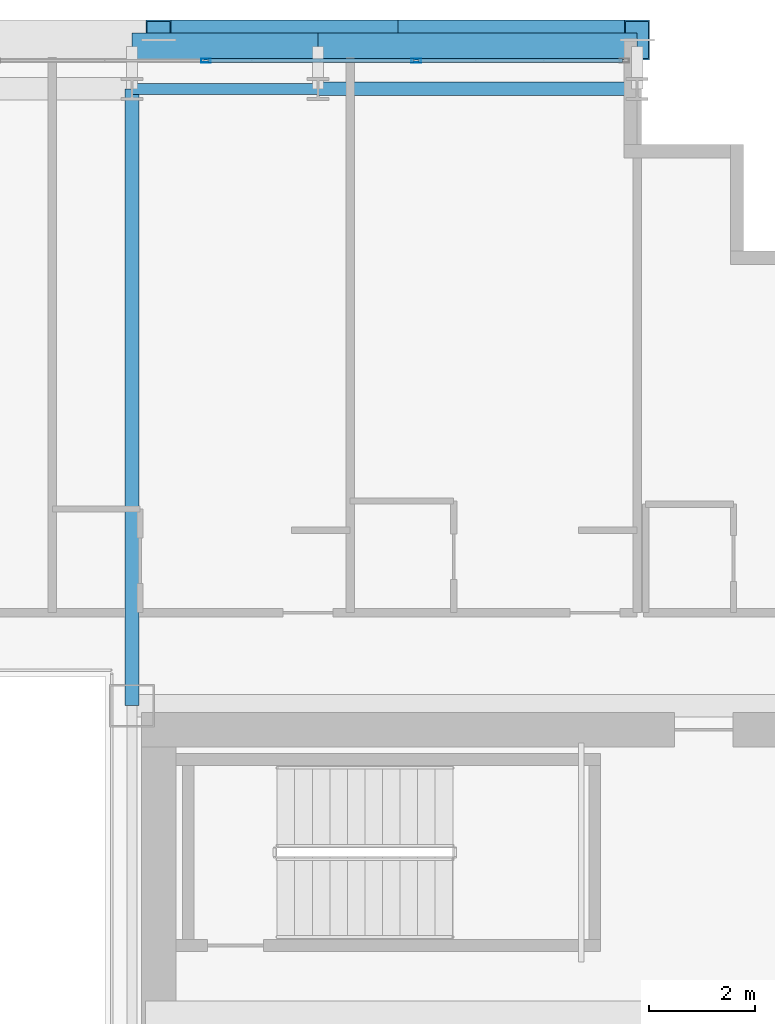
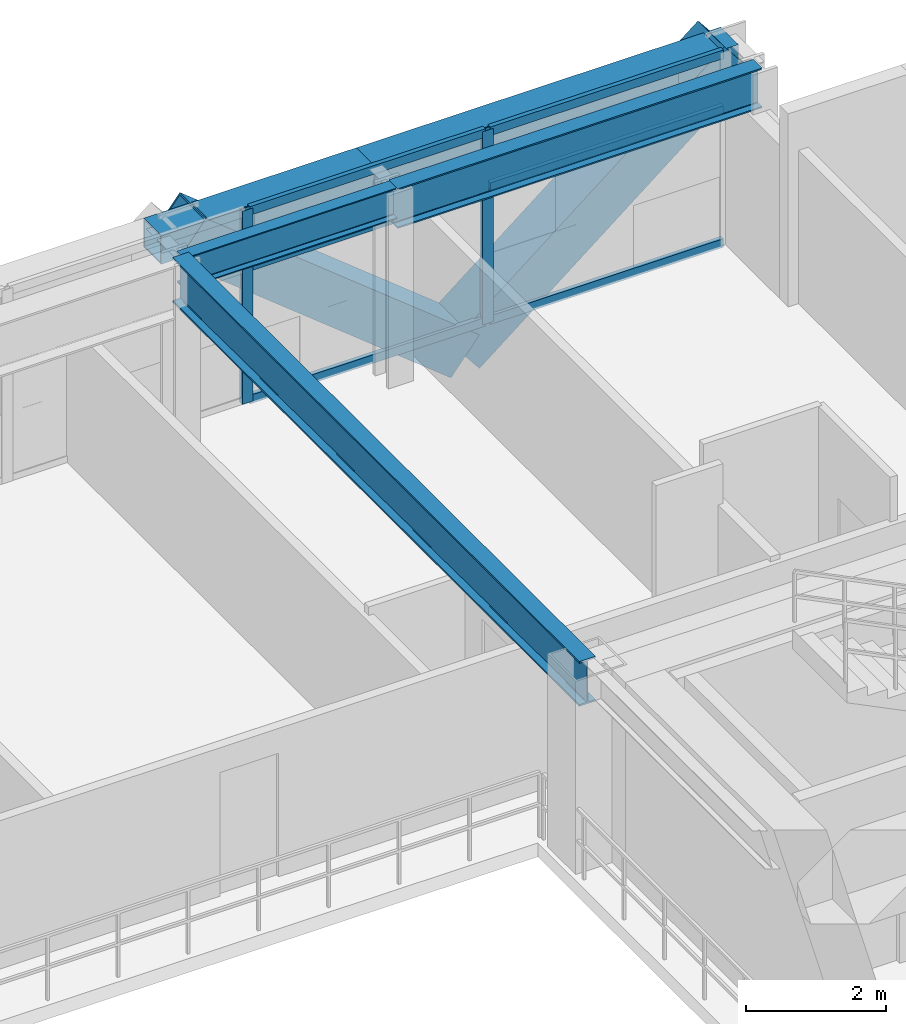
# One storey, part 21 of 35: 10 members, 5 beams, 1 element without a shape of its own.
"""IFC4 building model written with IfcOpenShell, lengths in metres."""

import ifcopenshell
import ifcopenshell.guid

model = None  # the IFC model being written
_history = None  # IfcOwnerHistory: only IFC2X3 demands one
_inside = {}  # id of a spatial element -> (the spatial element, [elements in it])
_under = {}  # id of a project, library or spatial element -> (it, [spatial elements below it])
_declared = {}  # id of a project -> (the project, [libraries it declares])
_typed = {}  # id of a type object -> (the type object, [elements of that type])
_made_of = {}  # id of a material, layer set ... -> (it, [elements and type objects made of it])


def new_model(schema):
    """Start an empty IFC model of exactly this schema.

    Asked for "IFC4X3", IfcOpenShell would pick the latest addendum, in which some entities
    have other attributes; the version numbers below select the first issue.
    IFC2X3 requires an IfcOwnerHistory on every rooted entity: one is made here for all.
    """
    global model, _history
    if schema == "IFC4X3":
        model = ifcopenshell.file(schema_version=(4, 3, 0, 0))
    else:
        model = ifcopenshell.file(schema=schema)
    _inside.clear()
    _under.clear()
    _declared.clear()
    _typed.clear()
    _made_of.clear()
    _history = None
    if model.schema == "IFC2X3":
        org = make("IfcOrganization", Name="unknown")
        user = make(
            "IfcPersonAndOrganization",
            ThePerson=make("IfcPerson", FamilyName="unknown"),
            TheOrganization=org,
        )
        app = make(
            "IfcApplication",
            ApplicationDeveloper=org,
            Version="unknown",
            ApplicationFullName="unknown",
            ApplicationIdentifier="unknown",
        )
        _history = make(
            "IfcOwnerHistory",
            OwningUser=user,
            OwningApplication=app,
            ChangeAction="ADDED",
            CreationDate=0,
        )
    return model


def make(cls, **values):
    """One entity of the class cls with the attributes given. An attribute that is None is left unset."""
    return model.create_entity(
        cls, **{name: value for name, value in values.items() if value is not None}
    )


def rooted(cls, **values):
    """An entity with a GlobalId (a new one), such as an element, a storey or a relation."""
    return make(cls, GlobalId=ifcopenshell.guid.new(), OwnerHistory=_history, **values)


def si_unit(unit_type, name, prefix=None):
    """IfcSIUnit, for example si_unit("LENGTHUNIT", "METRE", prefix="MILLI")."""
    return make("IfcSIUnit", UnitType=unit_type, Prefix=prefix, Name=name)


def assignment(units):
    """IfcUnitAssignment: the units of a project."""
    return None if units is None else make("IfcUnitAssignment", Units=units)


def point(xyz):
    """IfcCartesianPoint."""
    return None if xyz is None else make("IfcCartesianPoint", Coordinates=xyz)


def direction(xyz):
    """IfcDirection."""
    return None if xyz is None else make("IfcDirection", DirectionRatios=xyz)


def frame(location, z_axis=None, x_axis=None):
    """IfcAxis2Placement3D, a coordinate frame: its origin and axes. An axis left out is left unset."""
    return make(
        "IfcAxis2Placement3D",
        Location=point(location),
        Axis=direction(z_axis),
        RefDirection=direction(x_axis),
    )


def frame_2d(location, x_axis=None):
    """IfcAxis2Placement2D, a coordinate frame in the plane: its origin and x axis."""
    return make(
        "IfcAxis2Placement2D", Location=point(location), RefDirection=direction(x_axis)
    )


def origin():
    """The frame at (0, 0, 0) with its axes left unset."""
    return frame((0.0, 0.0, 0.0))


def origin_2d():
    """The frame at (0, 0) in the plane with its x axis left unset."""
    return frame_2d((0.0, 0.0))


def place(relative_to, where):
    """IfcLocalPlacement: puts the frame where relative to a parent placement (None: the world)."""
    return make(
        "IfcLocalPlacement", PlacementRelTo=relative_to, RelativePlacement=where
    )


def context(
    kind, dimensions, precision=None, world=None, true_north=None, identifier=None
):
    """IfcGeometricRepresentationContext, for example the 3D "Model" context."""
    return make(
        "IfcGeometricRepresentationContext",
        ContextIdentifier=identifier,
        ContextType=kind,
        CoordinateSpaceDimension=dimensions,
        Precision=precision,
        WorldCoordinateSystem=world,
        TrueNorth=true_north,
    )


def subcontext(parent, identifier, kind, view, scale=None):
    """IfcGeometricRepresentationSubContext, for example "Body" below "Model"."""
    return make(
        "IfcGeometricRepresentationSubContext",
        ContextIdentifier=identifier,
        ContextType=kind,
        ParentContext=parent,
        TargetScale=scale,
        TargetView=view,
    )


def project(units=None, contexts=None):
    """IfcProject with its units and contexts."""
    return rooted(
        "IfcProject",
        Name="project",
        RepresentationContexts=contexts,
        UnitsInContext=assignment(units),
    )


def spatial(cls, under=None, at=None, **own):
    """A site, building, storey or space (cls), placed at a placement, below another one or the project."""
    s = rooted(cls, ObjectPlacement=at, **own)
    if under is not None:
        _under.setdefault(under.id(), (under, []))[1].append(s)
    return s


def profile(cls, at=None, kind="AREA", **sizes):
    """A parametric profile (cls). Its sizes go by their IFC names, for example OverallWidth=200.0."""
    return make(cls, ProfileType=kind, Position=at, **sizes)


def hollow_rectangle(**sizes):
    """IfcRectangleHollowProfileDef."""
    return profile("IfcRectangleHollowProfileDef", **sizes)


def i_section(**sizes):
    """IfcIShapeProfileDef."""
    return profile("IfcIShapeProfileDef", **sizes)


def extrude(swept, where, along, depth):
    """IfcExtrudedAreaSolid: the profile swept, set in the frame where, extruded along a direction by depth."""
    return make(
        "IfcExtrudedAreaSolid",
        SweptArea=swept,
        Position=where,
        ExtrudedDirection=direction(along),
        Depth=depth,
    )


def shape(context_of_items, identifier, shape_type, items):
    """IfcShapeRepresentation: the items that make up one representation, for example the "Body"."""
    return make(
        "IfcShapeRepresentation",
        ContextOfItems=context_of_items,
        RepresentationIdentifier=identifier,
        RepresentationType=shape_type,
        Items=items,
    )


def source(mapping_origin, context_of_items, identifier, shape_type, items):
    """IfcRepresentationMap: a shape defined once, which mapped items show again and again."""
    return make(
        "IfcRepresentationMap",
        MappingOrigin=mapping_origin,
        MappedRepresentation=shape(context_of_items, identifier, shape_type, items),
    )


def transform(
    local_origin,
    x_axis=None,
    y_axis=None,
    z_axis=None,
    scale=None,
    scale2=None,
    scale3=None,
    uniform=True,
):
    """IfcCartesianTransformationOperator3D, or its non-uniform kind. x_axis, y_axis, z_axis: its Axis1, 2, 3."""
    if uniform:
        return make(
            "IfcCartesianTransformationOperator3D",
            Axis1=direction(x_axis),
            Axis2=direction(y_axis),
            LocalOrigin=point(local_origin),
            Scale=scale,
            Axis3=direction(z_axis),
        )
    return make(
        "IfcCartesianTransformationOperator3DnonUniform",
        Axis1=direction(x_axis),
        Axis2=direction(y_axis),
        LocalOrigin=point(local_origin),
        Scale=scale,
        Axis3=direction(z_axis),
        Scale2=scale2,
        Scale3=scale3,
    )


def mapped(mapping_source, mapping_target):
    """IfcMappedItem: shows the shape of a source again, moved by a transform."""
    return make(
        "IfcMappedItem", MappingSource=mapping_source, MappingTarget=mapping_target
    )


def material(Name=None, Category=None):
    """IfcMaterial."""
    return make("IfcMaterial", Name=Name, Category=Category)


def layer(
    of_material, thickness, ventilated=None, Name=None, Category=None, Priority=None
):
    """IfcMaterialLayer: one layer of a wall or slab, of a material (None: an air gap)."""
    return make(
        "IfcMaterialLayer",
        Material=of_material,
        LayerThickness=thickness,
        IsVentilated=ventilated,
        Name=Name,
        Category=Category,
        Priority=Priority,
    )


def layer_set(layers, Name=None):
    """IfcMaterialLayerSet."""
    return make("IfcMaterialLayerSet", MaterialLayers=layers, LayerSetName=Name)


def material_profile(
    of_material, cross_section, Name=None, Category=None, Priority=None
):
    """IfcMaterialProfile: a cross section and its material."""
    return make(
        "IfcMaterialProfile",
        Name=Name,
        Material=of_material,
        Profile=cross_section,
        Priority=Priority,
        Category=Category,
    )


def profile_set(profiles, Name=None, composite=None):
    """IfcMaterialProfileSet."""
    return make(
        "IfcMaterialProfileSet",
        Name=Name,
        MaterialProfiles=profiles,
        CompositeProfile=composite,
    )


def made_of(thing, what):
    """Note that an element or type object is made of a material, layer set ...; save() writes the relation."""
    if what is not None:
        _made_of.setdefault(what.id(), (what, []))[1].append(thing)
    return thing


def type_object(cls, material=None, **own):
    """A type object (cls), such as IfcWallType, which elements share."""
    return made_of(rooted(cls, **own), material)


def element(
    cls,
    number,
    at=None,
    inside=None,
    cuts=None,
    type_object=None,
    material=None,
    context=None,
    identifier="Body",
    shape_type=None,
    held_by="IfcProductDefinitionShape",
    body=None,
    shapes=None,
    **own,
):
    """One element of the class cls, such as IfcWall. Its Tag is "e" and its number.

    at: its placement. inside: the storey or other place that contains it. cuts: it is an
    opening in that element (IfcRelVoidsElement). A single representation is given by context,
    identifier, shape_type and body (its items); several are given by shapes. held_by: the class
    of the entity that holds the representations. save() writes the other relations.
    """
    e = rooted(cls, Tag="e%d" % number, ObjectPlacement=at, **own)
    if body is not None:
        shapes = [shape(context, identifier, shape_type, body)]
    if shapes is not None:
        e.Representation = make(held_by, Representations=shapes)
    if inside is not None:
        _inside.setdefault(inside.id(), (inside, []))[1].append(e)
    if cuts is not None:
        rooted(
            "IfcRelVoidsElement", RelatingBuildingElement=cuts, RelatedOpeningElement=e
        )
    if type_object is not None:
        _typed.setdefault(type_object.id(), (type_object, []))[1].append(e)
    return made_of(e, material)


def aggregate(whole, parts):
    """IfcRelAggregates: a whole, such as a stair, and the parts it consists of."""
    return rooted("IfcRelAggregates", RelatingObject=whole, RelatedObjects=parts)


def save(model, path):
    """Write the relations noted so far, then the file.

    IfcRelAggregates (storeys below a building ...), IfcRelContainedInSpatialStructure (elements
    in a storey), IfcRelDefinesByType, IfcRelAssociatesMaterial and IfcRelDeclares: one each for
    every whole, place, type object, material and project.
    """
    for whole, parts in _under.values():
        aggregate(whole, parts)
    for where, things in _inside.values():
        rooted(
            "IfcRelContainedInSpatialStructure",
            RelatedElements=things,
            RelatingStructure=where,
        )
    for kind, things in _typed.values():
        rooted("IfcRelDefinesByType", RelatedObjects=things, RelatingType=kind)
    for what, things in _made_of.values():
        rooted("IfcRelAssociatesMaterial", RelatedObjects=things, RelatingMaterial=what)
    for by, libraries in _declared.values():
        rooted("IfcRelDeclares", RelatingContext=by, RelatedDefinitions=libraries)
    model.write(path)


model = new_model("IFC4")

# Units and contexts
model_context = context("Model", 3, precision=1e-05, world=origin(), true_north=direction((0.0, 1.0)))
body_context = subcontext(model_context, "Body", "Model", "MODEL_VIEW")
ifc_project = project(units=[si_unit("LENGTHUNIT", "METRE"), si_unit("AREAUNIT", "SQUARE_METRE"), si_unit("VOLUMEUNIT", "CUBIC_METRE"), si_unit("PLANEANGLEUNIT", "RADIAN"), si_unit("MASSUNIT", "GRAM", prefix="KILO")], contexts=[model_context])

# Site, building, storey
site_placement = place(None, origin())
site = spatial("IfcSite", under=ifc_project, at=site_placement, CompositionType="ELEMENT")
building_placement = place(site_placement, origin())
building = spatial("IfcBuilding", under=site, at=building_placement, Name="Ocotamira Hotel", CompositionType="ELEMENT")
storey_placement = place(building_placement, frame((0.0, 0.0, 122.39990234375)))
storey = spatial("IfcBuildingStorey", under=building, at=storey_placement, Name="L30", CompositionType="ELEMENT", Elevation=122.39990234375)

# Beams
ifc_material_1 = material(Name="Steel ASTM A992 Grade 50", Category="steel")
ifc_material_profile_1 = material_profile(ifc_material_1, i_section(OverallWidth=0.256103515625, OverallDepth=0.693115234375, WebThickness=0.014404296875, FlangeThickness=0.023681640625, FilletRadius=0.01611328125, at=origin_2d()), Name="W27X114")
ifc_profile_set_1 = profile_set([ifc_material_profile_1], Name="Steel ASTM A992 Grade 50")
beam_type_1 = type_object("IfcBeamType", Name="BM-PRIM-W27X114", PredefinedType="BEAM", material=ifc_profile_set_1)
shared_shape_1 = source(origin(), body_context, "Body", "SweptSolid", [
    extrude(i_section(OverallWidth=0.256103515625, OverallDepth=0.693115234375, WebThickness=0.014404296875, FlangeThickness=0.023681640625, FilletRadius=0.01611328125, at=origin_2d()), origin(), (0.0, 0.0, 1.0), 6.0),
])
beam_1_placement = place(storey_placement, frame((44.0, 49.050048828125, 3.013671875), z_axis=(1.0, 0.0, 0.0), x_axis=(0.0, 1.0, 0.0)))
element("IfcBeam", 1, at=beam_1_placement, inside=storey, type_object=beam_type_1, Name="L30 Girder Y49.05 X44-50", PredefinedType="BEAM", context=body_context, shape_type="MappedRepresentation", body=[
    mapped(shared_shape_1, transform((0.0, 0.0, 0.0), scale=1.0)),
])
ifc_material_profile_2 = material_profile(ifc_material_1, i_section(OverallWidth=0.2099609375, OverallDepth=0.537109375, WebThickness=0.010986328125, FlangeThickness=0.017333984375, FilletRadius=0.012939453125, at=origin_2d()), Name="W21X68")
ifc_profile_set_2 = profile_set([ifc_material_profile_2], Name="Steel ASTM A992 Grade 50")
beam_type_2 = type_object("IfcBeamType", Name="BM-SEC-W21X68", PredefinedType="JOIST", material=ifc_profile_set_2)
shared_shape_2 = source(origin(), body_context, "Body", "SweptSolid", [
    extrude(i_section(OverallWidth=0.2099609375, OverallDepth=0.537109375, WebThickness=0.010986328125, FlangeThickness=0.017333984375, FilletRadius=0.012939453125, at=origin_2d()), origin(), (0.0, 0.0, 1.0), 3.5),
])
beam_2_placement = place(storey_placement, frame((40.5, 49.050048828125, 3.091552734375), z_axis=(1.0, 0.0, 0.0), x_axis=(0.0, 1.0, 0.0)))
element("IfcBeam", 2, at=beam_2_placement, inside=storey, type_object=beam_type_2, Name="L30 Girder Y49.05 X40.5-44", PredefinedType="JOIST", context=body_context, shape_type="MappedRepresentation", body=[
    mapped(shared_shape_2, transform((0.0, 0.0, 0.0), scale=1.0)),
])
ifc_material_profile_3 = material_profile(ifc_material_1, i_section(OverallWidth=0.26611328125, OverallDepth=0.779052734375, WebThickness=0.0166015625, FlangeThickness=0.030029296875, FilletRadius=0.01806640625, at=origin_2d()), Name="W30X148")
ifc_profile_set_3 = profile_set([ifc_material_profile_3], Name="Steel ASTM A992 Grade 50")
beam_type_3 = type_object("IfcBeamType", Name="BM-GIRD-W30X148", PredefinedType="BEAM", material=ifc_profile_set_3)
shared_shape_3 = source(origin(), body_context, "Body", "SweptSolid", [
    extrude(i_section(OverallWidth=0.26611328125, OverallDepth=0.779052734375, WebThickness=0.0166015625, FlangeThickness=0.030029296875, FilletRadius=0.01806640625, at=origin_2d()), origin(), (0.0, 0.0, 1.0), 11.60009765625),
])
beam_3_placement = place(storey_placement, frame((40.5, 37.449951171875, 2.970703125), z_axis=(0.0, 1.0, 0.0), x_axis=(-1.0, 0.0, 0.0)))
element("IfcBeam", 3, at=beam_3_placement, inside=storey, type_object=beam_type_3, Name="L30 Beam X40.5 Y37.45-49.05", PredefinedType="BEAM", context=body_context, shape_type="MappedRepresentation", body=[
    mapped(shared_shape_3, transform((0.0, 0.0, 0.0), scale=1.0)),
])
ifc_material_2 = material(Name="Steel ASTM A500 Grade C", Category="steel")
ifc_material_profile_4 = material_profile(ifc_material_2, hollow_rectangle(XDim=0.5, YDim=0.5, WallThickness=0.02001953125, at=origin_2d()), Name="HSS500X500X20")
ifc_profile_set_4 = profile_set([ifc_material_profile_4], Name="Steel ASTM A500 Grade C")
beam_type_4 = type_object("IfcBeamType", Name="BM-SPAN-HSS500", PredefinedType="USERDEFINED", material=ifc_profile_set_4)
shared_shape_4 = source(origin(), body_context, "Body", "SweptSolid", [
    extrude(hollow_rectangle(XDim=0.5, YDim=0.5, WallThickness=0.02001953125, at=origin_2d()), origin(), (0.0, 0.0, 1.0), 6.0),
])
beam_4_placement = place(storey_placement, frame((44.0, 49.85009765625, 3.110107421875), z_axis=(1.0, 0.0, 0.0), x_axis=(0.0, 1.0, 0.0)))
element("IfcBeam", 4, at=beam_4_placement, inside=storey, type_object=beam_type_4, Name="L30 Edge Spandrel N X44-50", ObjectType="SPANDREL", PredefinedType="USERDEFINED", context=body_context, shape_type="MappedRepresentation", body=[
    mapped(shared_shape_4, transform((0.0, 0.0, 0.0), scale=1.0)),
])
shared_shape_5 = source(origin(), body_context, "Body", "SweptSolid", [
    extrude(hollow_rectangle(XDim=0.5, YDim=0.5, WallThickness=0.02001953125, at=origin_2d()), origin(), (0.0, 0.0, 1.0), 3.5),
])
beam_5_placement = place(storey_placement, frame((40.5, 49.85009765625, 3.110107421875), z_axis=(1.0, 0.0, 0.0), x_axis=(0.0, 1.0, 0.0)))
element("IfcBeam", 5, at=beam_5_placement, inside=storey, type_object=beam_type_4, Name="L30 Edge Spandrel N X40.5-44", ObjectType="SPANDREL", PredefinedType="USERDEFINED", context=body_context, shape_type="MappedRepresentation", body=[
    mapped(shared_shape_5, transform((0.0, 0.0, 0.0), scale=1.0)),
])

# Members
ifc_material_3 = material(Name="Pale-metal coated steel ASTM A913 Grade 65", Category="steel")
ifc_material_profile_5 = material_profile(ifc_material_3, hollow_rectangle(XDim=0.75, YDim=0.75, WallThickness=0.028076171875, at=origin_2d()), Name="BOX750X750X28")
ifc_profile_set_5 = profile_set([ifc_material_profile_5], Name="Pale-metal coated steel ASTM A913 Grade 65")
member_type_1 = type_object("IfcMemberType", Name="MEM-EXO-BOX750", PredefinedType="BRACE", material=ifc_profile_set_5)
shared_shape_6 = source(origin(), body_context, "Body", "SweptSolid", [
    extrude(hollow_rectangle(XDim=0.75, YDim=0.75, WallThickness=0.028076171875, at=origin_2d()), origin(), (0.0, 0.0, 1.0), 5.762939453125),
])
for number, where, z_axis, x_axis, name in (
    (6, (45.5, 49.969970703125, -0.489990234375), (-0.780860543151, 0.0, 0.624705380279), (0.0, -1.0, 0.0), "L30 Exoskeleton Diagrid N3.1"),
    (7, (45.5, 49.969970703125, -0.489990234375), (0.780860543151, 0.0, 0.624705380279), (0.0, 1.0, 0.0), "L30 Exoskeleton Diagrid N3.2"),
):
    element("IfcMember", number, at=place(storey_placement, frame(where, z_axis=z_axis, x_axis=x_axis)), inside=storey, type_object=member_type_1, Name=name, PredefinedType="BRACE", context=body_context, shape_type="MappedRepresentation", body=[
        mapped(shared_shape_6, transform((0.0, 0.0, 0.0), scale=1.0)),
    ])

# Curtain wall, members
ifc_material_4 = material(Name="Anodised pale-metal aluminium and solar glass", Category="aluminium")
ifc_layer = layer(ifc_material_4, 0.179931640625)
ifc_layer_set = layer_set([ifc_layer], Name="Anodised pale-metal aluminium and solar glass")
curtain_wall_type = type_object("IfcCurtainWallType", Name="CW-SYS3-Z2", PredefinedType="NOTDEFINED", material=ifc_layer_set)
curtain_wall_placement = place(storey_placement, origin())
curtain_wall = element("IfcCurtainWall", 8, at=curtain_wall_placement, inside=storey, type_object=curtain_wall_type, Name="L30 Curtain Wall CW-3 CW-L30-N", PredefinedType="NOTDEFINED")
ifc_material_5 = material(Name="Anodised pale-metal aluminium 6063-T6", Category="aluminium")
ifc_material_profile_6 = material_profile(ifc_material_5, hollow_rectangle(XDim=0.074951171875, YDim=0.14990234375, WallThickness=0.006103515625, at=origin_2d()), Name="HSS150X75X6")
ifc_profile_set_6 = profile_set([ifc_material_profile_6], Name="Anodised pale-metal aluminium 6063-T6")
member_type_2 = type_object("IfcMemberType", Name="CWT-150X75", PredefinedType="USERDEFINED", material=ifc_profile_set_6)
shared_shape_7 = source(origin(), body_context, "Body", "SweptSolid", [
    extrude(hollow_rectangle(XDim=0.074951171875, YDim=0.14990234375, WallThickness=0.006103515625, at=origin_2d()), origin(), (0.0, 0.0, 1.0), 3.83544921875),
])
member_1_placement = place(storey_placement, frame((45.884521484375, 49.580078125, 0.03759765625), z_axis=(1.0, 0.0, 0.0), x_axis=(0.0, 1.0, 0.0)))
member_1 = element("IfcMember", 9, at=member_1_placement, type_object=member_type_2, Name="CW-3 transom 9.1", ObjectType="TRANSOM", PredefinedType="USERDEFINED", context=body_context, shape_type="MappedRepresentation", body=[
    mapped(shared_shape_7, transform((0.0, 0.0, 0.0), scale=1.0)),
])
member_2_placement = place(storey_placement, frame((45.884521484375, 49.580078125, 2.35009765625), z_axis=(1.0, 0.0, 0.0), x_axis=(0.0, 1.0, 0.0)))
member_2 = element("IfcMember", 10, at=member_2_placement, type_object=member_type_2, Name="CW-3 transom 9.2", ObjectType="TRANSOM", PredefinedType="USERDEFINED", context=body_context, shape_type="MappedRepresentation", body=[
    mapped(shared_shape_7, transform((0.0, 0.0, 0.0), scale=1.0)),
])
member_3_placement = place(storey_placement, frame((45.884521484375, 49.580078125, 3.322509765625), z_axis=(1.0, 0.0, 0.0), x_axis=(0.0, 1.0, 0.0)))
member_3 = element("IfcMember", 11, at=member_3_placement, type_object=member_type_2, Name="CW-3 transom 9.3", ObjectType="TRANSOM", PredefinedType="USERDEFINED", context=body_context, shape_type="MappedRepresentation", body=[
    mapped(shared_shape_7, transform((0.0, 0.0, 0.0), scale=1.0)),
])
shared_shape_8 = source(origin(), body_context, "Body", "SweptSolid", [
    extrude(hollow_rectangle(XDim=0.074951171875, YDim=0.14990234375, WallThickness=0.006103515625, at=origin_2d()), origin(), (0.0, 0.0, 1.0), 3.87548828125),
])
member_4_placement = place(storey_placement, frame((41.928955078125, 49.580078125, 0.03759765625), z_axis=(1.0, 0.0, 0.0), x_axis=(0.0, 1.0, 0.0)))
member_4 = element("IfcMember", 12, at=member_4_placement, type_object=member_type_2, Name="CW-3 transom 8.1", ObjectType="TRANSOM", PredefinedType="USERDEFINED", context=body_context, shape_type="MappedRepresentation", body=[
    mapped(shared_shape_8, transform((0.0, 0.0, 0.0), scale=1.0)),
])
member_5_placement = place(storey_placement, frame((41.928955078125, 49.580078125, 2.35009765625), z_axis=(1.0, 0.0, 0.0), x_axis=(0.0, 1.0, 0.0)))
member_5 = element("IfcMember", 13, at=member_5_placement, type_object=member_type_2, Name="CW-3 transom 8.2", ObjectType="TRANSOM", PredefinedType="USERDEFINED", context=body_context, shape_type="MappedRepresentation", body=[
    mapped(shared_shape_8, transform((0.0, 0.0, 0.0), scale=1.0)),
])
member_6_placement = place(storey_placement, frame((41.928955078125, 49.580078125, 3.322509765625), z_axis=(1.0, 0.0, 0.0), x_axis=(0.0, 1.0, 0.0)))
member_6 = element("IfcMember", 14, at=member_6_placement, type_object=member_type_2, Name="CW-3 transom 8.3", ObjectType="TRANSOM", PredefinedType="USERDEFINED", context=body_context, shape_type="MappedRepresentation", body=[
    mapped(shared_shape_8, transform((0.0, 0.0, 0.0), scale=1.0)),
])
ifc_material_profile_7 = material_profile(ifc_material_5, hollow_rectangle(XDim=0.080078125, YDim=0.179931640625, WallThickness=0.006103515625, at=origin_2d()), Name="HSS180X80X6")
ifc_profile_set_7 = profile_set([ifc_material_profile_7], Name="Anodised pale-metal aluminium 6063-T6")
member_type_3 = type_object("IfcMemberType", Name="CWM-180X75", PredefinedType="MULLION", material=ifc_profile_set_7)
shared_shape_9 = source(origin(), body_context, "Body", "SweptSolid", [
    extrude(hollow_rectangle(XDim=0.080078125, YDim=0.179931640625, WallThickness=0.006103515625, at=origin_2d()), origin(), (0.0, 0.0, 1.0), 3.360107421875),
])
member_7_placement = place(storey_placement, frame((41.888916015625, 49.580078125, 0.0), z_axis=(0.0, 0.0, 1.0), x_axis=(0.0, 1.0, 0.0)))
member_7 = element("IfcMember", 15, at=member_7_placement, type_object=member_type_3, Name="CW-3 mullion 8", PredefinedType="MULLION", context=body_context, shape_type="MappedRepresentation", body=[
    mapped(shared_shape_9, transform((0.0, 0.0, 0.0), scale=1.0)),
])
member_8_placement = place(storey_placement, frame((45.844482421875, 49.580078125, 0.0), z_axis=(0.0, 0.0, 1.0), x_axis=(0.0, 1.0, 0.0)))
member_8 = element("IfcMember", 16, at=member_8_placement, type_object=member_type_3, Name="CW-3 mullion 9", PredefinedType="MULLION", context=body_context, shape_type="MappedRepresentation", body=[
    mapped(shared_shape_9, transform((0.0, 0.0, 0.0), scale=1.0)),
])
aggregate(curtain_wall, [member_7, member_8, member_4, member_5, member_6, member_1, member_2, member_3])

save(model, "model.ifc")
